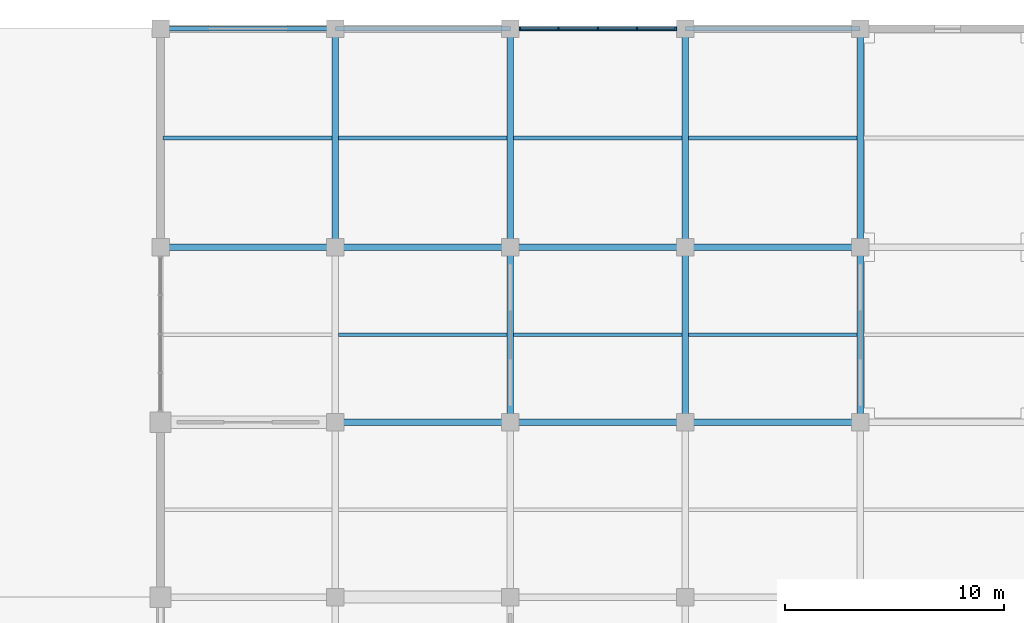
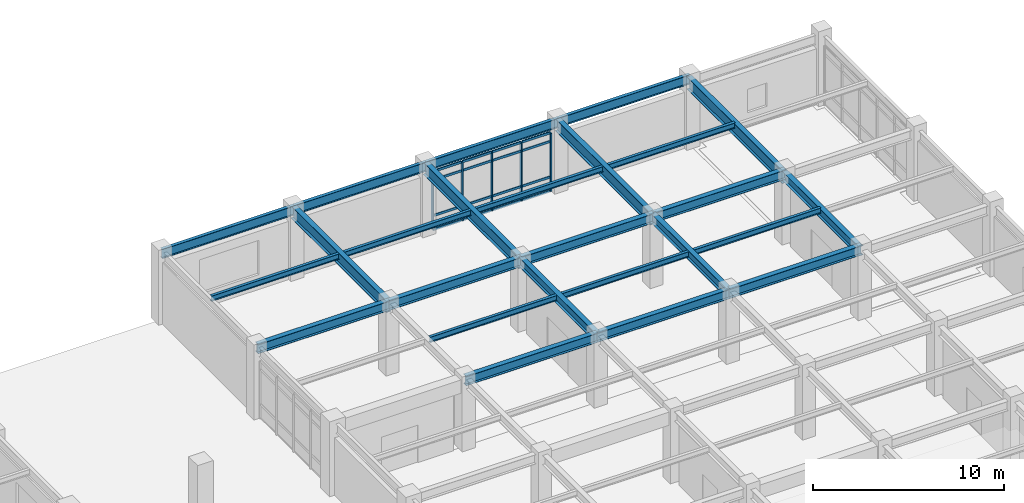
# One storey, part 49 of 109: 25 beams, 21 members, 1 element without a shape of its own.
"""IFC4 building model written with IfcOpenShell, lengths in metres."""

from ifc_helpers import new_model, si_unit, direction, frame, origin, origin_2d, place, context, subcontext, project, spatial, rectangle, i_section, extrude, material, layer, layer_set, material_profile, profile_set, type_object, element, aggregate, save


model = new_model("IFC4")

# Units and contexts
model_context = context("Model", 3, precision=1e-05, world=origin(), true_north=direction((0.0, 1.0)))
body_context = subcontext(model_context, "Body", "Model", "MODEL_VIEW")
ifc_project = project(units=[si_unit("LENGTHUNIT", "METRE"), si_unit("AREAUNIT", "SQUARE_METRE"), si_unit("VOLUMEUNIT", "CUBIC_METRE"), si_unit("PLANEANGLEUNIT", "RADIAN"), si_unit("MASSUNIT", "GRAM", prefix="KILO")], contexts=[model_context])

# Site, building, storey
site_placement = place(None, origin())
site = spatial("IfcSite", under=ifc_project, at=site_placement, CompositionType="ELEMENT")
building_placement = place(site_placement, origin())
building = spatial("IfcBuilding", under=site, at=building_placement, Name="Haebicheon Civic Stadium", CompositionType="ELEMENT")
storey_placement = place(building_placement, frame((0.0, 0.0, 9.60009765625)))
storey = spatial("IfcBuildingStorey", under=building, at=storey_placement, Name="L03", CompositionType="ELEMENT", Elevation=9.60009765625)

# Beams
ifc_material_1 = material(Name="Steel SM355 (S355)", Category="steel")
ifc_material_profile_1 = material_profile(ifc_material_1, i_section(OverallWidth=0.300048828125, OverallDepth=0.60009765625, WebThickness=0.011962890625, FlangeThickness=0.02001953125, at=origin_2d()), Name="H-600x300x12x20")
ifc_profile_set_1 = profile_set([ifc_material_profile_1], Name="Steel SM355 (S355)")
beam_type_1 = type_object("IfcBeamType", Name="BM-ST-H600A", PredefinedType="BEAM", material=ifc_profile_set_1)
for number, where, z_axis, x_axis, name in (
    (1, (176.0, 160.0, 4.239990234375), (0.0, 1.0, 0.0), (-1.0, 0.0, 0.0), "L03 girder 23/W-X"),
    (2, (184.0, 160.0, 4.239990234375), (0.0, 1.0, 0.0), (-1.0, 0.0, 0.0), "L03 girder 24/W-X"),
    (3, (192.0, 160.0, 4.099853515625), (0.0, 1.0, 0.0), (-1.0, 0.0, 0.0), "L03 girder 25/W-X"),
    (4, (160.0, 168.0, 4.239990234375), (1.0, 0.0, 0.0), (0.0, 1.0, 0.0), "L03 beam X/21-22"),
    (5, (168.0, 160.0, 4.239990234375), (1.0, 0.0, 0.0), (0.0, 1.0, 0.0), "L03 beam W/22-23"),
    (6, (168.0, 168.0, 4.239990234375), (1.0, 0.0, 0.0), (0.0, 1.0, 0.0), "L03 beam X/22-23"),
    (7, (176.0, 160.0, 4.239990234375), (1.0, 0.0, 0.0), (0.0, 1.0, 0.0), "L03 beam W/23-24"),
    (8, (176.0, 168.0, 4.239990234375), (1.0, 0.0, 0.0), (0.0, 1.0, 0.0), "L03 beam X/23-24"),
    (9, (184.0, 160.0, 4.239990234375), (1.0, 0.0, 0.0), (0.0, 1.0, 0.0), "L03 beam W/24-25"),
    (10, (184.0, 168.0, 4.239990234375), (1.0, 0.0, 0.0), (0.0, 1.0, 0.0), "L03 beam X/24-25"),
):
    element("IfcBeam", number, at=place(storey_placement, frame(where, z_axis=z_axis, x_axis=x_axis)), inside=storey, type_object=beam_type_1, material=ifc_profile_set_1, Name=name, PredefinedType="BEAM", context=body_context, shape_type="SweptSolid", body=[
        extrude(i_section(OverallWidth=0.300048828125, OverallDepth=0.60009765625, WebThickness=0.011962890625, FlangeThickness=0.02001953125, at=origin_2d()), origin(), (0.0, 0.0, 1.0), 8.0),
    ])
ifc_material_2 = material(Name="Steel SM490", Category="steel")
ifc_material_profile_2 = material_profile(ifc_material_2, i_section(OverallWidth=0.300048828125, OverallDepth=0.800048828125, WebThickness=0.013916015625, FlangeThickness=0.02587890625, at=origin_2d()), Name="H-800x300x14x26")
ifc_profile_set_2 = profile_set([ifc_material_profile_2], Name="Steel SM490")
beam_type_2 = type_object("IfcBeamType", Name="BM-ST-H800", PredefinedType="BEAM", material=ifc_profile_set_2)
for number, where, z_axis, x_axis, name in (
    (11, (168.0, 168.0, 4.139892578125), (0.0, 1.0, 0.0), (-1.0, 0.0, 0.0), "L03 girder 22/X-Y"),
    (12, (176.0, 168.0, 4.139892578125), (0.0, 1.0, 0.0), (-1.0, 0.0, 0.0), "L03 girder 23/X-Y"),
    (13, (184.0, 168.0, 4.139892578125), (0.0, 1.0, 0.0), (-1.0, 0.0, 0.0), "L03 girder 24/X-Y"),
    (14, (192.0, 168.0, 4.0), (0.0, 1.0, 0.0), (-1.0, 0.0, 0.0), "L03 girder 25/X-Y"),
):
    element("IfcBeam", number, at=place(storey_placement, frame(where, z_axis=z_axis, x_axis=x_axis)), inside=storey, type_object=beam_type_2, material=ifc_profile_set_2, Name=name, PredefinedType="BEAM", context=body_context, shape_type="SweptSolid", body=[
        extrude(i_section(OverallWidth=0.300048828125, OverallDepth=0.800048828125, WebThickness=0.013916015625, FlangeThickness=0.02587890625, at=origin_2d()), origin(), (0.0, 0.0, 1.0), 10.0),
    ])

# Curtain wall, members
ifc_material_3 = material(Name="Anodised aluminium and laminated glass", Category="aluminium")
ifc_layer = layer(ifc_material_3, 0.179931640625, Name="Anodised aluminium and laminated glass")
ifc_layer_set = layer_set([ifc_layer], Name="Anodised aluminium and laminated glass")
curtain_wall_type = type_object("IfcCurtainWallType", Name="CW-7200x3730", PredefinedType="NOTDEFINED", material=ifc_layer_set)
curtain_wall_placement = place(storey_placement, origin())
curtain_wall = element("IfcCurtainWall", 15, at=curtain_wall_placement, inside=storey, type_object=curtain_wall_type, material=ifc_layer_set, Name="L03 unitised curtain wall 093", PredefinedType="NOTDEFINED")
ifc_material_4 = material(Name="Anodised aluminium 6063-T6", Category="aluminium")
ifc_material_profile_3 = material_profile(ifc_material_4, rectangle(XDim=0.070068359375, YDim=0.199951171875, at=origin_2d()), Name="ALU-MULL-70x200")
ifc_profile_set_3 = profile_set([ifc_material_profile_3], Name="Anodised aluminium 6063-T6")
member_type_1 = type_object("IfcMemberType", Name="CWM-200x70", PredefinedType="MULLION", material=ifc_profile_set_3)
member_1_placement = place(storey_placement, frame((176.43505859375, 178.0, 0.0), z_axis=(0.0, 0.0, 1.0), x_axis=(1.0, 0.0, 0.0)))
member_1 = element("IfcMember", 16, at=member_1_placement, type_object=member_type_1, material=ifc_profile_set_3, Name="CW-L03-093 vertical mullion 1", PredefinedType="MULLION", context=body_context, shape_type="SweptSolid", body=[
    extrude(rectangle(XDim=0.070068359375, YDim=0.199951171875, at=origin_2d()), origin(), (0.0, 0.0, 1.0), 3.72998046875),
])
member_2_placement = place(storey_placement, frame((178.199951171875, 178.0, 0.0), z_axis=(0.0, 0.0, 1.0), x_axis=(1.0, 0.0, 0.0)))
member_2 = element("IfcMember", 17, at=member_2_placement, type_object=member_type_1, material=ifc_profile_set_3, Name="CW-L03-093 vertical mullion 2", PredefinedType="MULLION", context=body_context, shape_type="SweptSolid", body=[
    extrude(rectangle(XDim=0.070068359375, YDim=0.199951171875, at=origin_2d()), origin(), (0.0, 0.0, 1.0), 3.72998046875),
])
member_3_placement = place(storey_placement, frame((180.0, 178.0, 0.0), z_axis=(0.0, 0.0, 1.0), x_axis=(1.0, 0.0, 0.0)))
member_3 = element("IfcMember", 18, at=member_3_placement, type_object=member_type_1, material=ifc_profile_set_3, Name="CW-L03-093 vertical mullion 3", PredefinedType="MULLION", context=body_context, shape_type="SweptSolid", body=[
    extrude(rectangle(XDim=0.070068359375, YDim=0.199951171875, at=origin_2d()), origin(), (0.0, 0.0, 1.0), 3.72998046875),
])
member_4_placement = place(storey_placement, frame((181.800048828125, 178.0, 0.0), z_axis=(0.0, 0.0, 1.0), x_axis=(1.0, 0.0, 0.0)))
member_4 = element("IfcMember", 19, at=member_4_placement, type_object=member_type_1, material=ifc_profile_set_3, Name="CW-L03-093 vertical mullion 4", PredefinedType="MULLION", context=body_context, shape_type="SweptSolid", body=[
    extrude(rectangle(XDim=0.070068359375, YDim=0.199951171875, at=origin_2d()), origin(), (0.0, 0.0, 1.0), 3.72998046875),
])
member_5_placement = place(storey_placement, frame((183.56494140625, 178.0, 0.0), z_axis=(0.0, 0.0, 1.0), x_axis=(1.0, 0.0, 0.0)))
member_5 = element("IfcMember", 20, at=member_5_placement, type_object=member_type_1, material=ifc_profile_set_3, Name="CW-L03-093 vertical mullion 5", PredefinedType="MULLION", context=body_context, shape_type="SweptSolid", body=[
    extrude(rectangle(XDim=0.070068359375, YDim=0.199951171875, at=origin_2d()), origin(), (0.0, 0.0, 1.0), 3.72998046875),
])
ifc_material_5 = material(Name="Anodised aluminium 6063-T6", Category="aluminium")
ifc_material_profile_4 = material_profile(ifc_material_5, rectangle(XDim=0.070068359375, YDim=0.14990234375, at=origin_2d()), Name="ALU-TRAN-70x150")
ifc_profile_set_4 = profile_set([ifc_material_profile_4], Name="Anodised aluminium 6063-T6")
member_type_2 = type_object("IfcMemberType", Name="CWT-150x70", PredefinedType="NOTDEFINED", material=ifc_profile_set_4)
member_6_placement = place(storey_placement, frame((176.469970703125, 178.0, 0.0), z_axis=(1.0, 0.0, 0.0), x_axis=(0.0, 1.0, 0.0)))
member_6 = element("IfcMember", 21, at=member_6_placement, type_object=member_type_2, material=ifc_profile_set_4, Name="CW-L03-093 horizontal transom 1.1", ObjectType="TRANSOM", PredefinedType="USERDEFINED", context=body_context, shape_type="SweptSolid", body=[
    extrude(rectangle(XDim=0.070068359375, YDim=0.14990234375, at=origin_2d()), origin(), (0.0, 0.0, 1.0), 1.695068359375),
])
member_7_placement = place(storey_placement, frame((176.469970703125, 178.0, 0.89990234375), z_axis=(1.0, 0.0, 0.0), x_axis=(0.0, 1.0, 0.0)))
member_7 = element("IfcMember", 22, at=member_7_placement, type_object=member_type_2, material=ifc_profile_set_4, Name="CW-L03-093 horizontal transom 1.2", ObjectType="TRANSOM", PredefinedType="USERDEFINED", context=body_context, shape_type="SweptSolid", body=[
    extrude(rectangle(XDim=0.070068359375, YDim=0.14990234375, at=origin_2d()), origin(), (0.0, 0.0, 1.0), 1.695068359375),
])
member_8_placement = place(storey_placement, frame((176.469970703125, 178.0, 3.179931640625), z_axis=(1.0, 0.0, 0.0), x_axis=(0.0, 1.0, 0.0)))
member_8 = element("IfcMember", 23, at=member_8_placement, type_object=member_type_2, material=ifc_profile_set_4, Name="CW-L03-093 horizontal transom 1.3", ObjectType="TRANSOM", PredefinedType="USERDEFINED", context=body_context, shape_type="SweptSolid", body=[
    extrude(rectangle(XDim=0.070068359375, YDim=0.14990234375, at=origin_2d()), origin(), (0.0, 0.0, 1.0), 1.695068359375),
])
member_9_placement = place(storey_placement, frame((176.469970703125, 178.0, 3.72998046875), z_axis=(1.0, 0.0, 0.0), x_axis=(0.0, 1.0, 0.0)))
member_9 = element("IfcMember", 24, at=member_9_placement, type_object=member_type_2, material=ifc_profile_set_4, Name="CW-L03-093 horizontal transom 1.4", ObjectType="TRANSOM", PredefinedType="USERDEFINED", context=body_context, shape_type="SweptSolid", body=[
    extrude(rectangle(XDim=0.070068359375, YDim=0.14990234375, at=origin_2d()), origin(), (0.0, 0.0, 1.0), 1.695068359375),
])
member_10_placement = place(storey_placement, frame((178.235107421875, 178.0, 0.0), z_axis=(1.0, 0.0, 0.0), x_axis=(0.0, 1.0, 0.0)))
member_10 = element("IfcMember", 25, at=member_10_placement, type_object=member_type_2, material=ifc_profile_set_4, Name="CW-L03-093 horizontal transom 2.1", ObjectType="TRANSOM", PredefinedType="USERDEFINED", context=body_context, shape_type="SweptSolid", body=[
    extrude(rectangle(XDim=0.070068359375, YDim=0.14990234375, at=origin_2d()), origin(), (0.0, 0.0, 1.0), 1.72998046875),
])
member_11_placement = place(storey_placement, frame((178.235107421875, 178.0, 0.89990234375), z_axis=(1.0, 0.0, 0.0), x_axis=(0.0, 1.0, 0.0)))
member_11 = element("IfcMember", 26, at=member_11_placement, type_object=member_type_2, material=ifc_profile_set_4, Name="CW-L03-093 horizontal transom 2.2", ObjectType="TRANSOM", PredefinedType="USERDEFINED", context=body_context, shape_type="SweptSolid", body=[
    extrude(rectangle(XDim=0.070068359375, YDim=0.14990234375, at=origin_2d()), origin(), (0.0, 0.0, 1.0), 1.72998046875),
])
member_12_placement = place(storey_placement, frame((178.235107421875, 178.0, 3.179931640625), z_axis=(1.0, 0.0, 0.0), x_axis=(0.0, 1.0, 0.0)))
member_12 = element("IfcMember", 27, at=member_12_placement, type_object=member_type_2, material=ifc_profile_set_4, Name="CW-L03-093 horizontal transom 2.3", ObjectType="TRANSOM", PredefinedType="USERDEFINED", context=body_context, shape_type="SweptSolid", body=[
    extrude(rectangle(XDim=0.070068359375, YDim=0.14990234375, at=origin_2d()), origin(), (0.0, 0.0, 1.0), 1.72998046875),
])
member_13_placement = place(storey_placement, frame((178.235107421875, 178.0, 3.72998046875), z_axis=(1.0, 0.0, 0.0), x_axis=(0.0, 1.0, 0.0)))
member_13 = element("IfcMember", 28, at=member_13_placement, type_object=member_type_2, material=ifc_profile_set_4, Name="CW-L03-093 horizontal transom 2.4", ObjectType="TRANSOM", PredefinedType="USERDEFINED", context=body_context, shape_type="SweptSolid", body=[
    extrude(rectangle(XDim=0.070068359375, YDim=0.14990234375, at=origin_2d()), origin(), (0.0, 0.0, 1.0), 1.72998046875),
])
member_14_placement = place(storey_placement, frame((180.034912109375, 178.0, 0.0), z_axis=(1.0, 0.0, 0.0), x_axis=(0.0, 1.0, 0.0)))
member_14 = element("IfcMember", 29, at=member_14_placement, type_object=member_type_2, material=ifc_profile_set_4, Name="CW-L03-093 horizontal transom 3.1", ObjectType="TRANSOM", PredefinedType="USERDEFINED", context=body_context, shape_type="SweptSolid", body=[
    extrude(rectangle(XDim=0.070068359375, YDim=0.14990234375, at=origin_2d()), origin(), (0.0, 0.0, 1.0), 1.72998046875),
])
member_15_placement = place(storey_placement, frame((180.034912109375, 178.0, 0.89990234375), z_axis=(1.0, 0.0, 0.0), x_axis=(0.0, 1.0, 0.0)))
member_15 = element("IfcMember", 30, at=member_15_placement, type_object=member_type_2, material=ifc_profile_set_4, Name="CW-L03-093 horizontal transom 3.2", ObjectType="TRANSOM", PredefinedType="USERDEFINED", context=body_context, shape_type="SweptSolid", body=[
    extrude(rectangle(XDim=0.070068359375, YDim=0.14990234375, at=origin_2d()), origin(), (0.0, 0.0, 1.0), 1.72998046875),
])
member_16_placement = place(storey_placement, frame((180.034912109375, 178.0, 3.179931640625), z_axis=(1.0, 0.0, 0.0), x_axis=(0.0, 1.0, 0.0)))
member_16 = element("IfcMember", 31, at=member_16_placement, type_object=member_type_2, material=ifc_profile_set_4, Name="CW-L03-093 horizontal transom 3.3", ObjectType="TRANSOM", PredefinedType="USERDEFINED", context=body_context, shape_type="SweptSolid", body=[
    extrude(rectangle(XDim=0.070068359375, YDim=0.14990234375, at=origin_2d()), origin(), (0.0, 0.0, 1.0), 1.72998046875),
])
member_17_placement = place(storey_placement, frame((180.034912109375, 178.0, 3.72998046875), z_axis=(1.0, 0.0, 0.0), x_axis=(0.0, 1.0, 0.0)))
member_17 = element("IfcMember", 32, at=member_17_placement, type_object=member_type_2, material=ifc_profile_set_4, Name="CW-L03-093 horizontal transom 3.4", ObjectType="TRANSOM", PredefinedType="USERDEFINED", context=body_context, shape_type="SweptSolid", body=[
    extrude(rectangle(XDim=0.070068359375, YDim=0.14990234375, at=origin_2d()), origin(), (0.0, 0.0, 1.0), 1.72998046875),
])
member_18_placement = place(storey_placement, frame((181.8349609375, 178.0, 0.0), z_axis=(1.0, 0.0, 0.0), x_axis=(0.0, 1.0, 0.0)))
member_18 = element("IfcMember", 33, at=member_18_placement, type_object=member_type_2, material=ifc_profile_set_4, Name="CW-L03-093 horizontal transom 4.1", ObjectType="TRANSOM", PredefinedType="USERDEFINED", context=body_context, shape_type="SweptSolid", body=[
    extrude(rectangle(XDim=0.070068359375, YDim=0.14990234375, at=origin_2d()), origin(), (0.0, 0.0, 1.0), 1.695068359375),
])
member_19_placement = place(storey_placement, frame((181.8349609375, 178.0, 0.89990234375), z_axis=(1.0, 0.0, 0.0), x_axis=(0.0, 1.0, 0.0)))
member_19 = element("IfcMember", 34, at=member_19_placement, type_object=member_type_2, material=ifc_profile_set_4, Name="CW-L03-093 horizontal transom 4.2", ObjectType="TRANSOM", PredefinedType="USERDEFINED", context=body_context, shape_type="SweptSolid", body=[
    extrude(rectangle(XDim=0.070068359375, YDim=0.14990234375, at=origin_2d()), origin(), (0.0, 0.0, 1.0), 1.695068359375),
])
member_20_placement = place(storey_placement, frame((181.8349609375, 178.0, 3.179931640625), z_axis=(1.0, 0.0, 0.0), x_axis=(0.0, 1.0, 0.0)))
member_20 = element("IfcMember", 35, at=member_20_placement, type_object=member_type_2, material=ifc_profile_set_4, Name="CW-L03-093 horizontal transom 4.3", ObjectType="TRANSOM", PredefinedType="USERDEFINED", context=body_context, shape_type="SweptSolid", body=[
    extrude(rectangle(XDim=0.070068359375, YDim=0.14990234375, at=origin_2d()), origin(), (0.0, 0.0, 1.0), 1.695068359375),
])
member_21_placement = place(storey_placement, frame((181.8349609375, 178.0, 3.72998046875), z_axis=(1.0, 0.0, 0.0), x_axis=(0.0, 1.0, 0.0)))
member_21 = element("IfcMember", 36, at=member_21_placement, type_object=member_type_2, material=ifc_profile_set_4, Name="CW-L03-093 horizontal transom 4.4", ObjectType="TRANSOM", PredefinedType="USERDEFINED", context=body_context, shape_type="SweptSolid", body=[
    extrude(rectangle(XDim=0.070068359375, YDim=0.14990234375, at=origin_2d()), origin(), (0.0, 0.0, 1.0), 1.695068359375),
])
aggregate(curtain_wall, [member_1, member_2, member_3, member_4, member_5, member_6, member_7, member_8, member_9, member_10, member_11, member_12, member_13, member_14, member_15, member_16, member_17, member_18, member_19, member_20, member_21])

# Beams
ifc_material_6 = material(Name="Steel SM355 (S355)", Category="steel")
ifc_material_profile_5 = material_profile(ifc_material_6, i_section(OverallWidth=0.175048828125, OverallDepth=0.35009765625, WebThickness=0.007080078125, FlangeThickness=0.010986328125, at=origin_2d()), Name="H-350x175x7x11")
ifc_profile_set_5 = profile_set([ifc_material_profile_5], Name="Steel SM355 (S355)")
beam_type_3 = type_object("IfcBeamType", Name="JST-ST-H350", PredefinedType="JOIST", material=ifc_profile_set_5)
beam_placement = place(storey_placement, frame((160.10009765625, 173.0, 4.364990234375), z_axis=(1.0, 0.0, 0.0), x_axis=(0.0, 1.0, 0.0)))
element("IfcBeam", 37, at=beam_placement, inside=storey, type_object=beam_type_3, material=ifc_profile_set_5, Name="L03 secondary joist 20-21", PredefinedType="JOIST", context=body_context, shape_type="SweptSolid", body=[
    extrude(i_section(OverallWidth=0.175048828125, OverallDepth=0.35009765625, WebThickness=0.007080078125, FlangeThickness=0.010986328125, at=origin_2d()), origin(), (0.0, 0.0, 1.0), 7.75),
])
for number, where, z_axis, x_axis, name in (
    (38, (168.14990234375, 164.0, 4.364990234375), (1.0, 0.0, 0.0), (0.0, 1.0, 0.0), "L03 secondary joist 21-20"),
    (39, (168.14990234375, 173.0, 4.364990234375), (1.0, 0.0, 0.0), (0.0, 1.0, 0.0), "L03 secondary joist 21-21"),
    (40, (176.14990234375, 164.0, 4.364990234375), (1.0, 0.0, 0.0), (0.0, 1.0, 0.0), "L03 secondary joist 22-20"),
    (41, (176.14990234375, 173.0, 4.364990234375), (1.0, 0.0, 0.0), (0.0, 1.0, 0.0), "L03 secondary joist 22-21"),
    (42, (184.14990234375, 164.0, 4.364990234375), (1.0, 0.0, 0.0), (0.0, 1.0, 0.0), "L03 secondary joist 23-20"),
    (43, (184.14990234375, 173.0, 4.364990234375), (1.0, 0.0, 0.0), (0.0, 1.0, 0.0), "L03 secondary joist 23-21"),
):
    element("IfcBeam", number, at=place(storey_placement, frame(where, z_axis=z_axis, x_axis=x_axis)), inside=storey, type_object=beam_type_3, material=ifc_profile_set_5, Name=name, PredefinedType="JOIST", context=body_context, shape_type="SweptSolid", body=[
        extrude(i_section(OverallWidth=0.175048828125, OverallDepth=0.35009765625, WebThickness=0.007080078125, FlangeThickness=0.010986328125, at=origin_2d()), origin(), (0.0, 0.0, 1.0), 7.7001953125),
    ])
ifc_material_7 = material(Name="Steel SM355 (S355)", Category="steel")
ifc_material_profile_6 = material_profile(ifc_material_7, i_section(OverallWidth=0.199951171875, OverallDepth=0.60009765625, WebThickness=0.010986328125, FlangeThickness=0.01708984375, at=origin_2d()), Name="H-600x200x11x17")
ifc_profile_set_6 = profile_set([ifc_material_profile_6], Name="Steel SM355 (S355)")
beam_type_4 = type_object("IfcBeamType", Name="SPD-ST-H600B", PredefinedType="SPANDREL", material=ifc_profile_set_6)
for number, where, z_axis, x_axis, name in (
    (44, (160.0, 178.0, 4.239990234375), (1.0, 0.0, 0.0), (0.0, 1.0, 0.0), "L03 beam Y/21-22"),
    (45, (168.0, 178.0, 4.239990234375), (1.0, 0.0, 0.0), (0.0, 1.0, 0.0), "L03 beam Y/22-23"),
    (46, (176.0, 178.0, 4.239990234375), (1.0, 0.0, 0.0), (0.0, 1.0, 0.0), "L03 beam Y/23-24"),
    (47, (184.0, 178.0, 4.239990234375), (1.0, 0.0, 0.0), (0.0, 1.0, 0.0), "L03 beam Y/24-25"),
):
    element("IfcBeam", number, at=place(storey_placement, frame(where, z_axis=z_axis, x_axis=x_axis)), inside=storey, type_object=beam_type_4, material=ifc_profile_set_6, Name=name, PredefinedType="SPANDREL", context=body_context, shape_type="SweptSolid", body=[
        extrude(i_section(OverallWidth=0.199951171875, OverallDepth=0.60009765625, WebThickness=0.010986328125, FlangeThickness=0.01708984375, at=origin_2d()), origin(), (0.0, 0.0, 1.0), 8.0),
    ])

save(model, "model.ifc")
